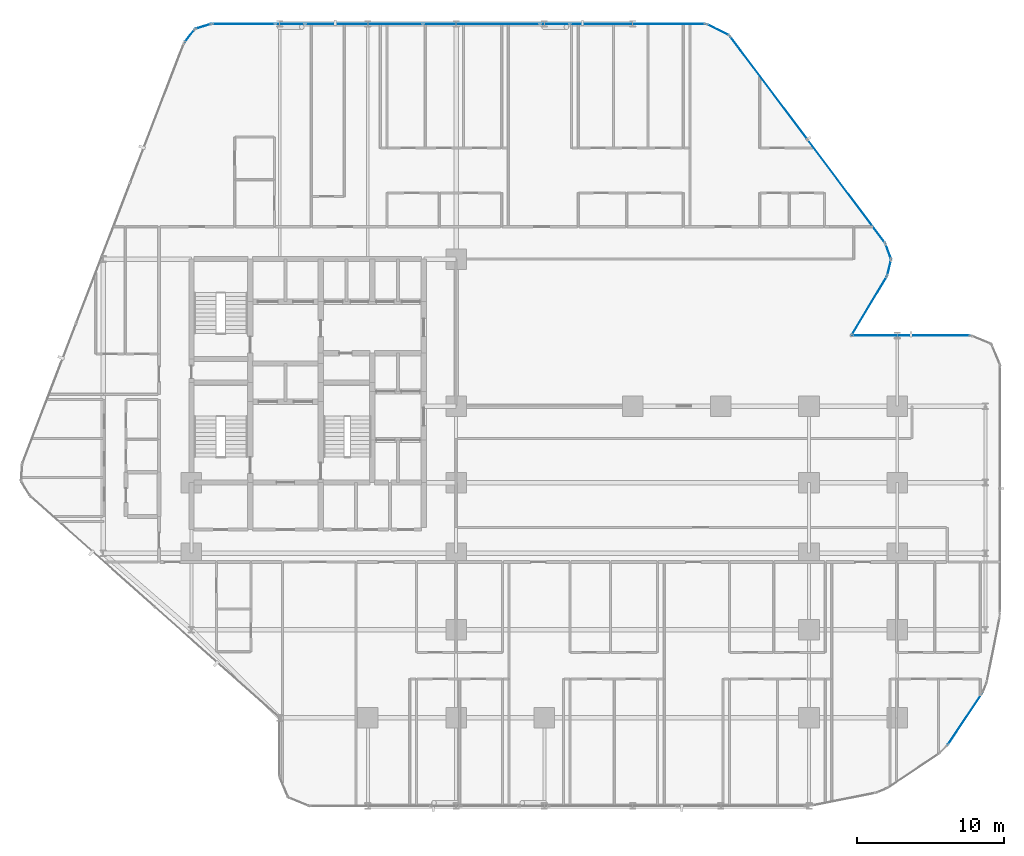
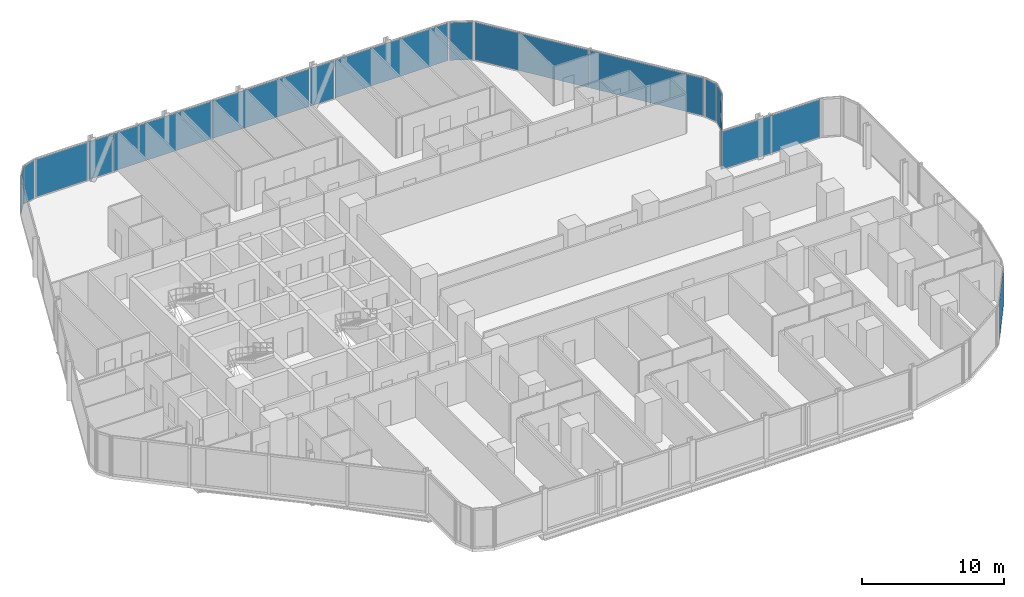
# One storey, part 24 of 34: 16 plates, 14 elements without a shape of their own.
"""IFC4 building model written with IfcOpenShell, lengths in metres."""

from ifc_helpers import new_model, si_unit, direction, frame, origin, origin_2d, place, context, subcontext, project, spatial, rectangle, extrude, material, layer, layer_set, type_object, element, aggregate, save


model = new_model("IFC4")

# Units and contexts
model_context = context("Model", 3, precision=1e-05, world=origin(), true_north=direction((0.0, 1.0)))
body_context = subcontext(model_context, "Body", "Model", "MODEL_VIEW")
ifc_project = project(units=[si_unit("LENGTHUNIT", "METRE"), si_unit("AREAUNIT", "SQUARE_METRE"), si_unit("VOLUMEUNIT", "CUBIC_METRE"), si_unit("PLANEANGLEUNIT", "RADIAN"), si_unit("MASSUNIT", "GRAM", prefix="KILO")], contexts=[model_context])

# Site, building, storey
site_placement = place(None, origin())
site = spatial("IfcSite", under=ifc_project, at=site_placement, CompositionType="ELEMENT")
building_placement = place(site_placement, origin())
building = spatial("IfcBuilding", under=site, at=building_placement, Name="Keshet Zoharim Tower", CompositionType="ELEMENT")
storey_placement = place(building_placement, frame((0.0, 0.0, 38.800048828125)))
storey = spatial("IfcBuildingStorey", under=building, at=storey_placement, Name="L08", CompositionType="ELEMENT", Elevation=38.800048828125)

# Curtain wall, plate
ifc_material_1 = material(Name="Aluminium 6063-T6", Category="aluminium")
ifc_layer_1 = layer(ifc_material_1, 0.179931640625)
ifc_layer_set_1 = layer_set([ifc_layer_1], Name="Aluminium 6063-T6")
curtain_wall_type_1 = type_object("IfcCurtainWallType", Name="CW-SYS-01", PredefinedType="NOTDEFINED", material=ifc_layer_set_1)
curtain_wall_1_placement = place(storey_placement, origin())
curtain_wall_1 = element("IfcCurtainWall", 1, at=curtain_wall_1_placement, inside=storey, type_object=curtain_wall_type_1, Name="L08 Unitised Curtain Wall 05", PredefinedType="NOTDEFINED")
ifc_material_2 = material(Name="Insulated Low-E Clear Glass", Category="glass")
ifc_layer_2 = layer(ifc_material_2, 0.035888671875)
ifc_layer_set_2 = layer_set([ifc_layer_2], Name="Insulated Low-E Clear Glass")
plate_type_1 = type_object("IfcPlateType", Name="CWP-01", PredefinedType="CURTAIN_PANEL", material=ifc_layer_set_2)
plate_1_placement = place(storey_placement, frame((14.8740234375, 53.08349609375, 0.06982421875), z_axis=(0.0, 0.0, 1.0), x_axis=(0.619124525989, 0.785292825205, 0.0)))
plate_1 = element("IfcPlate", 2, at=plate_1_placement, type_object=plate_type_1, Name="CW-01 panel 1.1", PredefinedType="CURTAIN_PANEL", context=body_context, shape_type="SweptSolid", body=[
    extrude(rectangle(XDim=1.045654296875, YDim=0.035888671875, at=origin_2d()), origin(), (0.0, 0.0, 1.0), 3.2451171875),
])
aggregate(curtain_wall_1, [plate_1])

curtain_wall_2_placement = place(storey_placement, origin())
curtain_wall_2 = element("IfcCurtainWall", 3, at=curtain_wall_2_placement, inside=storey, type_object=curtain_wall_type_1, Name="L08 Unitised Curtain Wall 06", PredefinedType="NOTDEFINED")
plate_2_placement = place(storey_placement, frame((15.8076171875, 53.724609375, 0.06982421875), z_axis=(0.0, 0.0, 1.0), x_axis=(0.955212151288, 0.295921857984, 0.0)))
plate_2 = element("IfcPlate", 4, at=plate_2_placement, type_object=plate_type_1, Name="CW-01 panel 1.1", PredefinedType="CURTAIN_PANEL", context=body_context, shape_type="SweptSolid", body=[
    extrude(rectangle(XDim=1.046142578125, YDim=0.035888671875, at=origin_2d()), origin(), (0.0, 0.0, 1.0), 3.2451171875),
])
aggregate(curtain_wall_2, [plate_2])

curtain_wall_3_placement = place(storey_placement, origin())
curtain_wall_3 = element("IfcCurtainWall", 5, at=curtain_wall_3_placement, inside=storey, type_object=curtain_wall_type_1, Name="L08 Unitised Curtain Wall 12", PredefinedType="NOTDEFINED")
plate_3_placement = place(storey_placement, frame((61.093994140625, 34.723388671875, 0.06982421875), z_axis=(0.0, 0.0, 1.0), x_axis=(-0.51446459506, -0.857511621163, 0.0)))
plate_3 = element("IfcPlate", 6, at=plate_3_placement, type_object=plate_type_1, Name="CW-01 panel 1.1", PredefinedType="CURTAIN_PANEL", context=body_context, shape_type="SweptSolid", body=[
    extrude(rectangle(XDim=4.57958984375, YDim=0.035888671875, at=origin_2d()), origin(), (0.0, 0.0, 1.0), 3.2451171875),
])
aggregate(curtain_wall_3, [plate_3])

curtain_wall_4_placement = place(storey_placement, origin())
curtain_wall_4 = element("IfcCurtainWall", 7, at=curtain_wall_4_placement, inside=storey, type_object=curtain_wall_type_1, Name="L08 Unitised Curtain Wall 20", PredefinedType="NOTDEFINED")
plate_4_placement = place(storey_placement, frame((67.60107421875, 6.615966796875, 0.06982421875), z_axis=(0.0, 0.0, 1.0), x_axis=(-0.555563243758, -0.831474282335, 0.0)))
plate_4 = element("IfcPlate", 8, at=plate_4_placement, type_object=plate_type_1, Name="CW-01 panel 1.1", PredefinedType="CURTAIN_PANEL", context=body_context, shape_type="SweptSolid", body=[
    extrude(rectangle(XDim=4.13671875, YDim=0.035888671875, at=origin_2d()), origin(), (0.0, 0.0, 1.0), 3.2451171875),
])
aggregate(curtain_wall_4, [plate_4])

ifc_layer_3 = layer(ifc_material_1, 0.169921875)
ifc_layer_set_3 = layer_set([ifc_layer_3], Name="Aluminium 6063-T6")
curtain_wall_type_2 = type_object("IfcCurtainWallType", Name="CW-SYS-02", PredefinedType="NOTDEFINED", material=ifc_layer_set_3)
curtain_wall_5_placement = place(storey_placement, origin())
curtain_wall_5 = element("IfcCurtainWall", 9, at=curtain_wall_5_placement, inside=storey, type_object=curtain_wall_type_2, Name="L08 Unitised Curtain Wall 07", PredefinedType="NOTDEFINED")
ifc_layer_4 = layer(ifc_material_2, 0.031982421875)
ifc_layer_set_4 = layer_set([ifc_layer_4], Name="Insulated Low-E Clear Glass")
plate_type_2 = type_object("IfcPlateType", Name="CWP-02", PredefinedType="CURTAIN_PANEL", material=ifc_layer_set_4)
plate_5_placement = place(storey_placement, frame((18.5556640625, 53.89990234375, 0.06982421875), z_axis=(0.0, 0.0, 1.0), x_axis=(1.0, 0.0, 0.0)))
plate_5 = element("IfcPlate", 10, at=plate_5_placement, type_object=plate_type_2, Name="CW-02 panel 1.1", PredefinedType="CURTAIN_PANEL", context=body_context, shape_type="SweptSolid", body=[
    extrude(rectangle(XDim=4.223388671875, YDim=0.031982421875, at=origin_2d()), origin(), (0.0, 0.0, 1.0), 3.2451171875),
])
aggregate(curtain_wall_5, [plate_5])

# Curtain wall, plates
curtain_wall_6_placement = place(storey_placement, origin())
curtain_wall_6 = element("IfcCurtainWall", 11, at=curtain_wall_6_placement, inside=storey, type_object=curtain_wall_type_2, Name="L08 Unitised Curtain Wall 07 Part 3", PredefinedType="NOTDEFINED")
plate_6_placement = place(storey_placement, frame((26.73876953125, 53.89990234375, 0.06982421875), z_axis=(0.0, 0.0, 1.0), x_axis=(1.0, 0.0, 0.0)))
plate_6 = element("IfcPlate", 12, at=plate_6_placement, type_object=plate_type_2, Name="CW-02 panel 1.1", PredefinedType="CURTAIN_PANEL", context=body_context, shape_type="SweptSolid", body=[
    extrude(rectangle(XDim=7.952392578125, YDim=0.031982421875, at=origin_2d()), origin(), (0.0, 0.0, 1.0), 3.2451171875),
])
plate_7_placement = place(storey_placement, frame((34.726318359375, 53.89990234375, 0.06982421875), z_axis=(0.0, 0.0, 1.0), x_axis=(1.0, 0.0, 0.0)))
plate_7 = element("IfcPlate", 13, at=plate_7_placement, type_object=plate_type_2, Name="CW-02 panel 2.1", PredefinedType="CURTAIN_PANEL", context=body_context, shape_type="SweptSolid", body=[
    extrude(rectangle(XDim=7.88232421875, YDim=0.031982421875, at=origin_2d()), origin(), (0.0, 0.0, 1.0), 3.2451171875),
])
aggregate(curtain_wall_6, [plate_6, plate_7])

# Curtain wall, plate
curtain_wall_7_placement = place(storey_placement, origin())
curtain_wall_7 = element("IfcCurtainWall", 14, at=curtain_wall_7_placement, inside=storey, type_object=curtain_wall_type_2, Name="L08 Unitised Curtain Wall 07 Part 5", PredefinedType="NOTDEFINED")
plate_8_placement = place(storey_placement, frame((45.34619140625, 53.89990234375, 0.06982421875), z_axis=(0.0, 0.0, 1.0), x_axis=(1.0, 0.0, 0.0)))
plate_8 = element("IfcPlate", 15, at=plate_8_placement, type_object=plate_type_2, Name="CW-02 panel 1.1", PredefinedType="CURTAIN_PANEL", context=body_context, shape_type="SweptSolid", body=[
    extrude(rectangle(XDim=9.16748046875, YDim=0.031982421875, at=origin_2d()), origin(), (0.0, 0.0, 1.0), 3.2451171875),
])
aggregate(curtain_wall_7, [plate_8])

curtain_wall_8_placement = place(storey_placement, origin())
curtain_wall_8 = element("IfcCurtainWall", 16, at=curtain_wall_8_placement, inside=storey, type_object=curtain_wall_type_2, Name="L08 Unitised Curtain Wall 08", PredefinedType="NOTDEFINED")
plate_9_placement = place(storey_placement, frame((50.800048828125, 53.5, 0.06982421875), z_axis=(0.0, 0.0, 1.0), x_axis=(0.894427191001, -0.447213595499, 0.0)))
plate_9 = element("IfcPlate", 17, at=plate_9_placement, type_object=plate_type_2, Name="CW-02 panel 1.1", PredefinedType="CURTAIN_PANEL", context=body_context, shape_type="SweptSolid", body=[
    extrude(rectangle(XDim=1.64892578125, YDim=0.031982421875, at=origin_2d()), origin(), (0.0, 0.0, 1.0), 3.2451171875),
])
aggregate(curtain_wall_8, [plate_9])

# Curtain wall, plates
curtain_wall_9_placement = place(storey_placement, origin())
curtain_wall_9 = element("IfcCurtainWall", 18, at=curtain_wall_9_placement, inside=storey, type_object=curtain_wall_type_2, Name="L08 Unitised Curtain Wall 09", PredefinedType="NOTDEFINED")
plate_10_placement = place(storey_placement, frame((54.2587890625, 49.554931640625, 0.06982421875), z_axis=(0.0, 0.0, 1.0), x_axis=(0.600000000002, -0.799999999998, 0.0)))
plate_10 = element("IfcPlate", 19, at=plate_10_placement, type_object=plate_type_2, Name="CW-02 panel 1.1", PredefinedType="CURTAIN_PANEL", context=body_context, shape_type="SweptSolid", body=[
    extrude(rectangle(XDim=8.722412109375, YDim=0.031982421875, at=origin_2d()), origin(), (0.0, 0.0, 1.0), 3.2451171875),
])
plate_11_placement = place(storey_placement, frame((59.5341796875, 42.52099609375, 0.06982421875), z_axis=(0.0, 0.0, 1.0), x_axis=(0.600000000002, -0.799999999998, 0.0)))
plate_11 = element("IfcPlate", 20, at=plate_11_placement, type_object=plate_type_2, Name="CW-02 panel 2.1", PredefinedType="CURTAIN_PANEL", context=body_context, shape_type="SweptSolid", body=[
    extrude(rectangle(XDim=8.722412109375, YDim=0.031982421875, at=origin_2d()), origin(), (0.0, 0.0, 1.0), 3.2451171875),
])
aggregate(curtain_wall_9, [plate_10, plate_11])

# Curtain wall, plate
curtain_wall_10_placement = place(storey_placement, origin())
curtain_wall_10 = element("IfcCurtainWall", 21, at=curtain_wall_10_placement, inside=storey, type_object=curtain_wall_type_2, Name="L08 Unitised Curtain Wall 10", PredefinedType="NOTDEFINED")
plate_12_placement = place(storey_placement, frame((62.3916015625, 38.427490234375, 0.06982421875), z_axis=(0.0, 0.0, 1.0), x_axis=(0.340297354046, -0.940317877544, 0.0)))
plate_12 = element("IfcPlate", 22, at=plate_12_placement, type_object=plate_type_2, Name="CW-02 panel 1.1", PredefinedType="CURTAIN_PANEL", context=body_context, shape_type="SweptSolid", body=[
    extrude(rectangle(XDim=1.026611328125, YDim=0.031982421875, at=origin_2d()), origin(), (0.0, 0.0, 1.0), 3.2451171875),
])
aggregate(curtain_wall_10, [plate_12])

curtain_wall_11_placement = place(storey_placement, origin())
curtain_wall_11 = element("IfcCurtainWall", 23, at=curtain_wall_11_placement, inside=storey, type_object=curtain_wall_type_2, Name="L08 Unitised Curtain Wall 11", PredefinedType="NOTDEFINED")
plate_13_placement = place(storey_placement, frame((62.448974609375, 37.31298828125, 0.06982421875), z_axis=(0.0, 0.0, 1.0), x_axis=(-0.241728770141, -0.970343857447, 0.0)))
plate_13 = element("IfcPlate", 24, at=plate_13_placement, type_object=plate_type_2, Name="CW-02 panel 1.1", PredefinedType="CURTAIN_PANEL", context=body_context, shape_type="SweptSolid", body=[
    extrude(rectangle(XDim=1.026611328125, YDim=0.031982421875, at=origin_2d()), origin(), (0.0, 0.0, 1.0), 3.2451171875),
])
aggregate(curtain_wall_11, [plate_13])

curtain_wall_12_placement = place(storey_placement, origin())
curtain_wall_12 = element("IfcCurtainWall", 25, at=curtain_wall_12_placement, inside=storey, type_object=curtain_wall_type_2, Name="L08 Unitised Curtain Wall 13", PredefinedType="NOTDEFINED")
plate_14_placement = place(storey_placement, frame((63.93994140625, 32.699951171875, 0.06982421875), z_axis=(0.0, 0.0, 1.0), x_axis=(1.0, 0.0, 0.0)))
plate_14 = element("IfcPlate", 26, at=plate_14_placement, type_object=plate_type_2, Name="CW-02 panel 1.1", PredefinedType="CURTAIN_PANEL", context=body_context, shape_type="SweptSolid", body=[
    extrude(rectangle(XDim=7.97998046875, YDim=0.031982421875, at=origin_2d()), origin(), (0.0, 0.0, 1.0), 3.2451171875),
])
aggregate(curtain_wall_12, [plate_14])

curtain_wall_13_placement = place(storey_placement, origin())
curtain_wall_13 = element("IfcCurtainWall", 27, at=curtain_wall_13_placement, inside=storey, type_object=curtain_wall_type_2, Name="L08 Unitised Curtain Wall 07 Part 2", PredefinedType="NOTDEFINED")
ifc_material_3 = material(Name="Insulated Aluminium Spandrel Panel", Category="aluminium")
ifc_layer_5 = layer(ifc_material_3, 0.031982421875)
ifc_layer_set_5 = layer_set([ifc_layer_5], Name="Insulated Aluminium Spandrel Panel")
plate_type_3 = type_object("IfcPlateType", Name="CWP-05", PredefinedType="CURTAIN_PANEL", material=ifc_layer_set_5)
plate_15_placement = place(storey_placement, frame((21.715087890625, 53.89990234375, 0.06982421875), z_axis=(0.0, 0.0, 1.0), x_axis=(1.0, 0.0, 0.0)))
plate_15 = element("IfcPlate", 28, at=plate_15_placement, type_object=plate_type_3, Name="CW-02 spandrel panel 1.1", PredefinedType="CURTAIN_PANEL", context=body_context, shape_type="SweptSolid", body=[
    extrude(rectangle(XDim=1.955078125, YDim=0.031982421875, at=origin_2d()), origin(), (0.0, 0.0, 1.0), 3.2451171875),
])
aggregate(curtain_wall_13, [plate_15])

curtain_wall_14_placement = place(storey_placement, origin())
curtain_wall_14 = element("IfcCurtainWall", 29, at=curtain_wall_14_placement, inside=storey, type_object=curtain_wall_type_2, Name="L08 Unitised Curtain Wall 07 Part 4", PredefinedType="NOTDEFINED")
plate_16_placement = place(storey_placement, frame((39.715087890625, 53.89990234375, 0.06982421875), z_axis=(0.0, 0.0, 1.0), x_axis=(1.0, 0.0, 0.0)))
plate_16 = element("IfcPlate", 30, at=plate_16_placement, type_object=plate_type_3, Name="CW-02 spandrel panel 1.1", PredefinedType="CURTAIN_PANEL", context=body_context, shape_type="SweptSolid", body=[
    extrude(rectangle(XDim=1.955078125, YDim=0.031982421875, at=origin_2d()), origin(), (0.0, 0.0, 1.0), 3.2451171875),
])
aggregate(curtain_wall_14, [plate_16])

save(model, "model.ifc")
